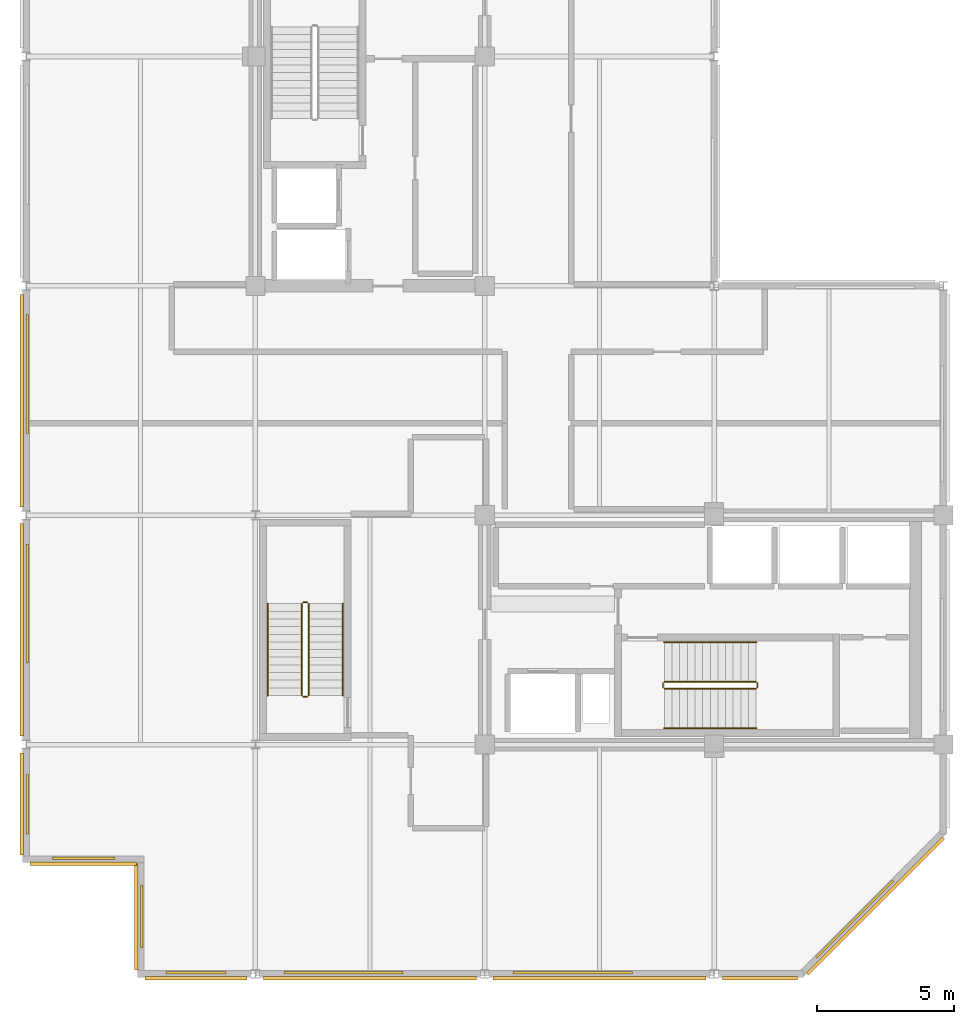
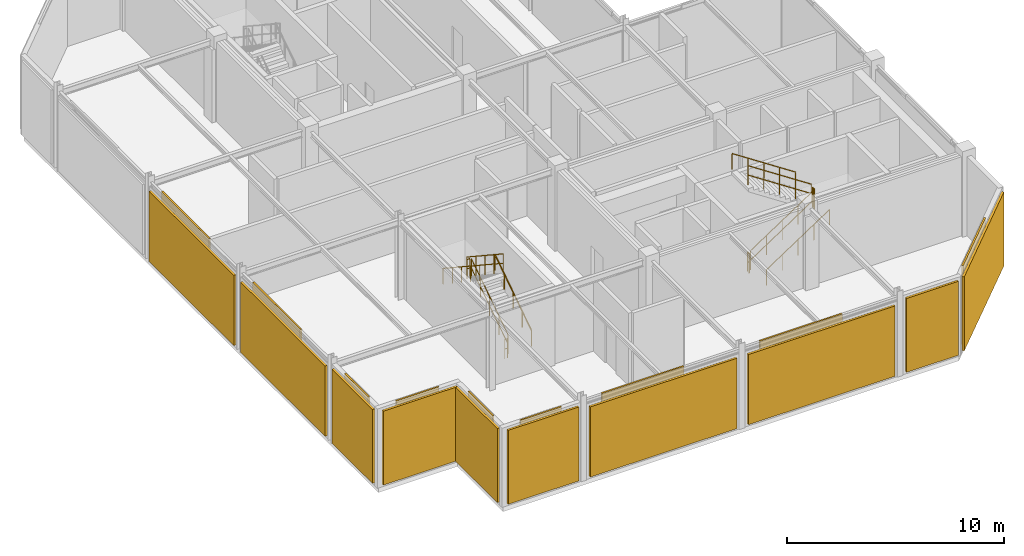
# One storey, part 7 of 9: 12 railings, 10 shading devices, 9 coverings.
"""IFC4 building model written with IfcOpenShell, lengths in metres."""

from ifc_helpers import new_model, si_unit, direction, frame, origin, origin_2d, place, context, subcontext, project, spatial, rectangle, circle, extrude, material, layer, layer_set, type_object, element, save


model = new_model("IFC4")

# Units and contexts
model_context = context("Model", 3, precision=1e-05, world=origin(), true_north=direction((0.0, 1.0)))
body_context = subcontext(model_context, "Body", "Model", "MODEL_VIEW")
ifc_project = project(units=[si_unit("LENGTHUNIT", "METRE"), si_unit("AREAUNIT", "SQUARE_METRE"), si_unit("VOLUMEUNIT", "CUBIC_METRE"), si_unit("PLANEANGLEUNIT", "RADIAN"), si_unit("MASSUNIT", "GRAM", prefix="KILO")], contexts=[model_context])

# Site, building, storey
site_placement = place(None, origin())
site = spatial("IfcSite", under=ifc_project, at=site_placement, CompositionType="ELEMENT")
building_placement = place(site_placement, origin())
building = spatial("IfcBuilding", under=site, at=building_placement, Name="Nerrivon Quay Data Exchange", CompositionType="ELEMENT")
storey_placement = place(building_placement, frame((0.0, 0.0, 322.199951171875)))
storey = spatial("IfcBuildingStorey", under=building, at=storey_placement, Name="L77", CompositionType="ELEMENT", Elevation=322.199951171875)

# Coverings
ifc_material_1 = material(Name="Architectural terracotta ceramic", Category="masonry")
ifc_layer_1 = layer(ifc_material_1, 0.090087890625)
ifc_layer_set_1 = layer_set([ifc_layer_1], Name="Architectural terracotta ceramic")
covering_type = type_object("IfcCoveringType", Name="COV-SCR-TERR", PredefinedType="CLADDING", material=ifc_layer_set_1)
covering_1_placement = place(storey_placement, frame((30.34423828125, 2.0078125, 0.0), z_axis=(0.0, 0.0, 1.0), x_axis=(-0.707106781187, -0.707106781187, 0.0)))
element("IfcCovering", 1, at=covering_1_placement, inside=storey, type_object=covering_type, Name="L77 Perforated Terracotta SOLAR SCREEN Cassette", PredefinedType="CLADDING", context=body_context, shape_type="SweptSolid", body=[
    extrude(rectangle(XDim=3.970947265625, YDim=0.090087890625, at=origin_2d()), origin(), (0.0, 0.0, 1.0), 4.449951171875),
])
for number, where, z_axis, x_axis, name in (
    (2, (20.02880859375, 0.044921875, 0.0), (0.0, 0.0, 1.0), (-1.0, 0.0, 0.0), "L77 Perforated Terracotta SOLAR SCREEN Cassette"),
    (3, (11.62890625, 0.044921875, 0.0), (0.0, 0.0, 1.0), (-1.0, 0.0, 0.0), "L77 Perforated Terracotta SOLAR SCREEN Cassette"),
):
    element("IfcCovering", number, at=place(storey_placement, frame(where, z_axis=z_axis, x_axis=x_axis)), inside=storey, type_object=covering_type, Name=name, PredefinedType="CLADDING", context=body_context, shape_type="SweptSolid", body=[
        extrude(rectangle(XDim=4.3701171875, YDim=0.090087890625, at=origin_2d()), origin(), (0.0, 0.0, 1.0), 4.449951171875),
    ])
covering_2_placement = place(storey_placement, frame((6.223388671875, 0.044921875, 0.0), z_axis=(0.0, 0.0, 1.0), x_axis=(-1.0, 0.0, 0.0)))
element("IfcCovering", 4, at=covering_2_placement, inside=storey, type_object=covering_type, Name="L77 Perforated Terracotta SOLAR SCREEN Cassette", PredefinedType="CLADDING", context=body_context, shape_type="SweptSolid", body=[
    extrude(rectangle(XDim=2.18505859375, YDim=0.090087890625, at=origin_2d()), origin(), (0.0, 0.0, 1.0), 4.449951171875),
])
for number, where, z_axis, x_axis, name in (
    (5, (4.2451171875, 2.10009765625, 0.0), (0.0, 0.0, 1.0), (0.0, 1.0, 0.0), "L77 Perforated Terracotta SOLAR SCREEN Cassette"),
    (6, (2.10009765625, 4.2451171875, 0.0), (0.0, 0.0, 1.0), (-1.0, 0.0, 0.0), "L77 Perforated Terracotta SOLAR SCREEN Cassette"),
):
    element("IfcCovering", number, at=place(storey_placement, frame(where, z_axis=z_axis, x_axis=x_axis)), inside=storey, type_object=covering_type, Name=name, PredefinedType="CLADDING", context=body_context, shape_type="SweptSolid", body=[
        extrude(rectangle(XDim=2.26806640625, YDim=0.090087890625, at=origin_2d()), origin(), (0.0, 0.0, 1.0), 4.449951171875),
    ])
covering_3_placement = place(storey_placement, frame((0.044921875, 6.22119140625, 0.0), z_axis=(0.0, 0.0, 1.0), x_axis=(0.0, 1.0, 0.0)))
element("IfcCovering", 7, at=covering_3_placement, inside=storey, type_object=covering_type, Name="L77 Perforated Terracotta SOLAR SCREEN Cassette", PredefinedType="CLADDING", context=body_context, shape_type="SweptSolid", body=[
    extrude(rectangle(XDim=2.18310546875, YDim=0.090087890625, at=origin_2d()), origin(), (0.0, 0.0, 1.0), 4.449951171875),
])
for number, where, z_axis, x_axis, name in (
    (8, (0.044921875, 13.5703125, 0.0), (0.0, 0.0, 1.0), (0.0, 1.0, 0.0), "L77 Perforated Terracotta SOLAR SCREEN Cassette"),
    (9, (0.044921875, 21.97021484375, 0.0), (0.0, 0.0, 1.0), (0.0, 1.0, 0.0), "L77 Perforated Terracotta SOLAR SCREEN Cassette"),
):
    element("IfcCovering", number, at=place(storey_placement, frame(where, z_axis=z_axis, x_axis=x_axis)), inside=storey, type_object=covering_type, Name=name, PredefinedType="CLADDING", context=body_context, shape_type="SweptSolid", body=[
        extrude(rectangle(XDim=4.365966796875, YDim=0.090087890625, at=origin_2d()), origin(), (0.0, 0.0, 1.0), 4.449951171875),
    ])

# Railings
ifc_material_2 = material(Name="Steel Grade C350L0 (350 MPa)", Category="steel")
railing_type_1 = type_object("IfcRailingType", Name="RAIL-HAND-HR1", PredefinedType="HANDRAIL", material=ifc_material_2)
railing_1_placement = place(storey_placement, frame((23.3798828125, 9.0, 0.1845703125)))
element("IfcRailing", 10, at=railing_1_placement, inside=storey, type_object=railing_type_1, Name="L77 ST02 stair handrail 1", PredefinedType="HANDRAIL", context=body_context, shape_type="SweptSolid", body=[
    extrude(circle(Radius=0.02392578125, at=origin_2d()), frame((0.0, 0.0, 0.8759765625), z_axis=(0.834848600103, 0.0, 0.550479622607), x_axis=(0.0, 1.0, 0.0)), (0.0, 0.0, 1.0), 4.02490234375),
    extrude(circle(Radius=0.02099609375, at=origin_2d()), origin(), (0.0, 0.0, 1.0), 0.851806640625),
    extrude(circle(Radius=0.02099609375, at=origin_2d()), frame((0.840087890625, 0.0, 0.553955078125)), (0.0, 0.0, 1.0), 0.851806640625),
    extrude(circle(Radius=0.02099609375, at=origin_2d()), frame((1.68017578125, 0.0, 1.10791015625)), (0.0, 0.0, 1.0), 0.851806640625),
    extrude(circle(Radius=0.02099609375, at=origin_2d()), frame((2.52001953125, 0.0, 1.66162109375)), (0.0, 0.0, 1.0), 0.851806640625),
    extrude(circle(Radius=0.02099609375, at=origin_2d()), frame((3.360107421875, 0.0, 2.215576171875)), (0.0, 0.0, 1.0), 0.851806640625),
])
railing_2_placement = place(storey_placement, frame((26.739990234375, 12.14990234375, 2.584716796875)))
element("IfcRailing", 11, at=railing_2_placement, inside=storey, type_object=railing_type_1, Name="L77 ST02 stair handrail 2", PredefinedType="HANDRAIL", context=body_context, shape_type="SweptSolid", body=[
    extrude(circle(Radius=0.02392578125, at=origin_2d()), frame((0.0, 0.0, 0.8759765625), z_axis=(-0.834876476806, 0.0, 0.550437342915), x_axis=(0.0, -1.0, 0.0)), (0.0, 0.0, 1.0), 4.024658203125),
    extrude(circle(Radius=0.02099609375, at=origin_2d()), origin(), (0.0, 0.0, 1.0), 0.851806640625),
    extrude(circle(Radius=0.02099609375, at=origin_2d()), frame((-0.840087890625, 0.0, 0.5537109375)), (0.0, 0.0, 1.0), 0.851806640625),
    extrude(circle(Radius=0.02099609375, at=origin_2d()), frame((-1.68017578125, 0.0, 1.107666015625)), (0.0, 0.0, 1.0), 0.851806640625),
    extrude(circle(Radius=0.02099609375, at=origin_2d()), frame((-2.52001953125, 0.0, 1.66162109375)), (0.0, 0.0, 1.0), 0.851806640625),
    extrude(circle(Radius=0.02099609375, at=origin_2d()), frame((-3.360107421875, 0.0, 2.21533203125)), (0.0, 0.0, 1.0), 0.851806640625),
])
railing_3_placement = place(storey_placement, frame((11.60009765625, 10.199951171875, 0.1845703125)))
element("IfcRailing", 12, at=railing_3_placement, inside=storey, type_object=railing_type_1, Name="L77 ST08 stair handrail 1", PredefinedType="HANDRAIL", context=body_context, shape_type="SweptSolid", body=[
    extrude(circle(Radius=0.02392578125, at=origin_2d()), frame((0.0, 0.0, 0.8759765625), z_axis=(0.0, 0.834848600103, 0.550479622607), x_axis=(-1.0, 0.0, 0.0)), (0.0, 0.0, 1.0), 4.02490234375),
    extrude(circle(Radius=0.02099609375, at=origin_2d()), origin(), (0.0, 0.0, 1.0), 0.851806640625),
    extrude(circle(Radius=0.02099609375, at=origin_2d()), frame((0.0, 0.840087890625, 0.553955078125)), (0.0, 0.0, 1.0), 0.851806640625),
    extrude(circle(Radius=0.02099609375, at=origin_2d()), frame((0.0, 1.68017578125, 1.10791015625)), (0.0, 0.0, 1.0), 0.851806640625),
    extrude(circle(Radius=0.02099609375, at=origin_2d()), frame((0.0, 2.52001953125, 1.66162109375)), (0.0, 0.0, 1.0), 0.851806640625),
    extrude(circle(Radius=0.02099609375, at=origin_2d()), frame((0.0, 3.360107421875, 2.215576171875)), (0.0, 0.0, 1.0), 0.851806640625),
])
railing_4_placement = place(storey_placement, frame((8.85009765625, 13.56005859375, 2.584716796875)))
element("IfcRailing", 13, at=railing_4_placement, inside=storey, type_object=railing_type_1, Name="L77 ST08 stair handrail 2", PredefinedType="HANDRAIL", context=body_context, shape_type="SweptSolid", body=[
    extrude(circle(Radius=0.02392578125, at=origin_2d()), frame((0.0, 0.0, 0.8759765625), z_axis=(0.0, -0.834876476806, 0.550437342915), x_axis=(1.0, 0.0, 0.0)), (0.0, 0.0, 1.0), 4.024658203125),
    extrude(circle(Radius=0.02099609375, at=origin_2d()), origin(), (0.0, 0.0, 1.0), 0.851806640625),
    extrude(circle(Radius=0.02099609375, at=origin_2d()), frame((0.0, -0.840087890625, 0.5537109375)), (0.0, 0.0, 1.0), 0.851806640625),
    extrude(circle(Radius=0.02099609375, at=origin_2d()), frame((0.0, -1.68017578125, 1.107666015625)), (0.0, 0.0, 1.0), 0.851806640625),
    extrude(circle(Radius=0.02099609375, at=origin_2d()), frame((0.0, -2.52001953125, 1.66162109375)), (0.0, 0.0, 1.0), 0.851806640625),
    extrude(circle(Radius=0.02099609375, at=origin_2d()), frame((0.0, -3.360107421875, 2.21533203125)), (0.0, 0.0, 1.0), 0.851806640625),
])
railing_type_2 = type_object("IfcRailingType", Name="RAIL-STAIR-GR1", PredefinedType="BALUSTRADE", material=ifc_material_2)
railing_5_placement = place(storey_placement, frame((23.3798828125, 10.449951171875, 0.1845703125)))
element("IfcRailing", 14, at=railing_5_placement, inside=storey, type_object=railing_type_2, Name="L77 ST02 stair guard 1", PredefinedType="BALUSTRADE", context=body_context, shape_type="SweptSolid", body=[
    extrude(circle(Radius=0.02392578125, at=origin_2d()), frame((0.0, 0.0, 1.076171875), z_axis=(0.834848600103, 0.0, 0.550479622607), x_axis=(0.0, 1.0, 0.0)), (0.0, 0.0, 1.0), 4.02490234375),
    extrude(circle(Radius=0.02392578125, at=origin_2d()), frame((0.0, 0.0, 0.550048828125), z_axis=(0.834848600103, 0.0, 0.550479622607), x_axis=(0.0, 1.0, 0.0)), (0.0, 0.0, 1.0), 4.02490234375),
    extrude(circle(Radius=0.02099609375, at=origin_2d()), origin(), (0.0, 0.0, 1.0), 1.052001953125),
    extrude(circle(Radius=0.02099609375, at=origin_2d()), frame((0.840087890625, 0.0, 0.553955078125)), (0.0, 0.0, 1.0), 1.052001953125),
    extrude(circle(Radius=0.02099609375, at=origin_2d()), frame((1.68017578125, 0.0, 1.10791015625)), (0.0, 0.0, 1.0), 1.052001953125),
    extrude(circle(Radius=0.02099609375, at=origin_2d()), frame((2.52001953125, 0.0, 1.66162109375)), (0.0, 0.0, 1.0), 1.052001953125),
    extrude(circle(Radius=0.02099609375, at=origin_2d()), frame((3.360107421875, 0.0, 2.215576171875)), (0.0, 0.0, 1.0), 1.052001953125),
])
railing_6_placement = place(storey_placement, frame((26.7900390625, 10.5, 2.400146484375)))
element("IfcRailing", 15, at=railing_6_placement, inside=storey, type_object=railing_type_2, Name="L77 ST02 stair guard 2", PredefinedType="BALUSTRADE", context=body_context, shape_type="SweptSolid", body=[
    extrude(circle(Radius=0.02392578125, at=origin_2d()), frame((0.0, 0.0, 1.076171875), z_axis=(0.0, 1.0, 0.0), x_axis=(-1.0, 0.0, 0.0)), (0.0, 0.0, 1.0), 0.14990234375),
    extrude(circle(Radius=0.02392578125, at=origin_2d()), frame((0.0, 0.0, 0.550048828125), z_axis=(0.0, 1.0, 0.0), x_axis=(-1.0, 0.0, 0.0)), (0.0, 0.0, 1.0), 0.14990234375),
    extrude(circle(Radius=0.02099609375, at=origin_2d()), origin(), (0.0, 0.0, 1.0), 1.052001953125),
    extrude(circle(Radius=0.02099609375, at=origin_2d()), frame((0.0, 0.14990234375, 0.0)), (0.0, 0.0, 1.0), 1.052001953125),
])
railing_7_placement = place(storey_placement, frame((26.739990234375, 10.699951171875, 2.584716796875)))
element("IfcRailing", 16, at=railing_7_placement, inside=storey, type_object=railing_type_2, Name="L77 ST02 stair guard 3", PredefinedType="BALUSTRADE", context=body_context, shape_type="SweptSolid", body=[
    extrude(circle(Radius=0.02392578125, at=origin_2d()), frame((0.0, 0.0, 1.076171875), z_axis=(-0.834876476806, 0.0, 0.550437342915), x_axis=(0.0, -1.0, 0.0)), (0.0, 0.0, 1.0), 4.024658203125),
    extrude(circle(Radius=0.02392578125, at=origin_2d()), frame((0.0, 0.0, 0.550048828125), z_axis=(-0.834876476806, 0.0, 0.550437342915), x_axis=(0.0, -1.0, 0.0)), (0.0, 0.0, 1.0), 4.024658203125),
    extrude(circle(Radius=0.02099609375, at=origin_2d()), origin(), (0.0, 0.0, 1.0), 1.052001953125),
    extrude(circle(Radius=0.02099609375, at=origin_2d()), frame((-0.840087890625, 0.0, 0.5537109375)), (0.0, 0.0, 1.0), 1.052001953125),
    extrude(circle(Radius=0.02099609375, at=origin_2d()), frame((-1.68017578125, 0.0, 1.107666015625)), (0.0, 0.0, 1.0), 1.052001953125),
    extrude(circle(Radius=0.02099609375, at=origin_2d()), frame((-2.52001953125, 0.0, 1.66162109375)), (0.0, 0.0, 1.0), 1.052001953125),
    extrude(circle(Radius=0.02099609375, at=origin_2d()), frame((-3.360107421875, 0.0, 2.21533203125)), (0.0, 0.0, 1.0), 1.052001953125),
])
railing_8_placement = place(storey_placement, frame((23.330078125, 10.5, 0.0)))
element("IfcRailing", 17, at=railing_8_placement, inside=storey, type_object=railing_type_2, Name="L77 ST02 stair guard 4", PredefinedType="BALUSTRADE", context=body_context, shape_type="SweptSolid", body=[
    extrude(circle(Radius=0.02392578125, at=origin_2d()), frame((0.0, 0.0, 1.076171875), z_axis=(0.0, 1.0, 0.0), x_axis=(-1.0, 0.0, 0.0)), (0.0, 0.0, 1.0), 0.14990234375),
    extrude(circle(Radius=0.02392578125, at=origin_2d()), frame((0.0, 0.0, 0.550048828125), z_axis=(0.0, 1.0, 0.0), x_axis=(-1.0, 0.0, 0.0)), (0.0, 0.0, 1.0), 0.14990234375),
    extrude(circle(Radius=0.02099609375, at=origin_2d()), origin(), (0.0, 0.0, 1.0), 1.052001953125),
    extrude(circle(Radius=0.02099609375, at=origin_2d()), frame((0.0, 0.14990234375, 0.0)), (0.0, 0.0, 1.0), 1.052001953125),
])
railing_9_placement = place(storey_placement, frame((10.35009765625, 10.199951171875, 0.1845703125)))
element("IfcRailing", 18, at=railing_9_placement, inside=storey, type_object=railing_type_2, Name="L77 ST08 stair guard 1", PredefinedType="BALUSTRADE", context=body_context, shape_type="SweptSolid", body=[
    extrude(circle(Radius=0.02392578125, at=origin_2d()), frame((0.0, 0.0, 1.076171875), z_axis=(0.0, 0.834848600103, 0.550479622607), x_axis=(-1.0, 0.0, 0.0)), (0.0, 0.0, 1.0), 4.02490234375),
    extrude(circle(Radius=0.02392578125, at=origin_2d()), frame((0.0, 0.0, 0.550048828125), z_axis=(0.0, 0.834848600103, 0.550479622607), x_axis=(-1.0, 0.0, 0.0)), (0.0, 0.0, 1.0), 4.02490234375),
    extrude(circle(Radius=0.02099609375, at=origin_2d()), origin(), (0.0, 0.0, 1.0), 1.052001953125),
    extrude(circle(Radius=0.02099609375, at=origin_2d()), frame((0.0, 0.840087890625, 0.553955078125)), (0.0, 0.0, 1.0), 1.052001953125),
    extrude(circle(Radius=0.02099609375, at=origin_2d()), frame((0.0, 1.68017578125, 1.10791015625)), (0.0, 0.0, 1.0), 1.052001953125),
    extrude(circle(Radius=0.02099609375, at=origin_2d()), frame((0.0, 2.52001953125, 1.66162109375)), (0.0, 0.0, 1.0), 1.052001953125),
    extrude(circle(Radius=0.02099609375, at=origin_2d()), frame((0.0, 3.360107421875, 2.215576171875)), (0.0, 0.0, 1.0), 1.052001953125),
])
railing_10_placement = place(storey_placement, frame((10.300048828125, 13.610107421875, 2.400146484375)))
element("IfcRailing", 19, at=railing_10_placement, inside=storey, type_object=railing_type_2, Name="L77 ST08 stair guard 2", PredefinedType="BALUSTRADE", context=body_context, shape_type="SweptSolid", body=[
    extrude(circle(Radius=0.02392578125, at=origin_2d()), frame((0.0, 0.0, 1.076171875), z_axis=(-1.0, 0.0, 0.0), x_axis=(0.0, -1.0, 0.0)), (0.0, 0.0, 1.0), 0.150146484375),
    extrude(circle(Radius=0.02392578125, at=origin_2d()), frame((0.0, 0.0, 0.550048828125), z_axis=(-1.0, 0.0, 0.0), x_axis=(0.0, -1.0, 0.0)), (0.0, 0.0, 1.0), 0.150146484375),
    extrude(circle(Radius=0.02099609375, at=origin_2d()), origin(), (0.0, 0.0, 1.0), 1.052001953125),
    extrude(circle(Radius=0.02099609375, at=origin_2d()), frame((-0.150146484375, 0.0, 0.0)), (0.0, 0.0, 1.0), 1.052001953125),
])
railing_11_placement = place(storey_placement, frame((10.10009765625, 13.56005859375, 2.584716796875)))
element("IfcRailing", 20, at=railing_11_placement, inside=storey, type_object=railing_type_2, Name="L77 ST08 stair guard 3", PredefinedType="BALUSTRADE", context=body_context, shape_type="SweptSolid", body=[
    extrude(circle(Radius=0.02392578125, at=origin_2d()), frame((0.0, 0.0, 1.076171875), z_axis=(0.0, -0.834876476806, 0.550437342915), x_axis=(1.0, 0.0, 0.0)), (0.0, 0.0, 1.0), 4.024658203125),
    extrude(circle(Radius=0.02392578125, at=origin_2d()), frame((0.0, 0.0, 0.550048828125), z_axis=(0.0, -0.834876476806, 0.550437342915), x_axis=(1.0, 0.0, 0.0)), (0.0, 0.0, 1.0), 4.024658203125),
    extrude(circle(Radius=0.02099609375, at=origin_2d()), origin(), (0.0, 0.0, 1.0), 1.052001953125),
    extrude(circle(Radius=0.02099609375, at=origin_2d()), frame((0.0, -0.840087890625, 0.5537109375)), (0.0, 0.0, 1.0), 1.052001953125),
    extrude(circle(Radius=0.02099609375, at=origin_2d()), frame((0.0, -1.68017578125, 1.107666015625)), (0.0, 0.0, 1.0), 1.052001953125),
    extrude(circle(Radius=0.02099609375, at=origin_2d()), frame((0.0, -2.52001953125, 1.66162109375)), (0.0, 0.0, 1.0), 1.052001953125),
    extrude(circle(Radius=0.02099609375, at=origin_2d()), frame((0.0, -3.360107421875, 2.21533203125)), (0.0, 0.0, 1.0), 1.052001953125),
])
railing_12_placement = place(storey_placement, frame((10.300048828125, 10.14990234375, 0.0)))
element("IfcRailing", 21, at=railing_12_placement, inside=storey, type_object=railing_type_2, Name="L77 ST08 stair guard 4", PredefinedType="BALUSTRADE", context=body_context, shape_type="SweptSolid", body=[
    extrude(circle(Radius=0.02392578125, at=origin_2d()), frame((0.0, 0.0, 1.076171875), z_axis=(-1.0, 0.0, 0.0), x_axis=(0.0, -1.0, 0.0)), (0.0, 0.0, 1.0), 0.150146484375),
    extrude(circle(Radius=0.02392578125, at=origin_2d()), frame((0.0, 0.0, 0.550048828125), z_axis=(-1.0, 0.0, 0.0), x_axis=(0.0, -1.0, 0.0)), (0.0, 0.0, 1.0), 0.150146484375),
    extrude(circle(Radius=0.02099609375, at=origin_2d()), origin(), (0.0, 0.0, 1.0), 1.052001953125),
    extrude(circle(Radius=0.02099609375, at=origin_2d()), frame((-0.150146484375, 0.0, 0.0)), (0.0, 0.0, 1.0), 1.052001953125),
])

# Shading devices
ifc_material_3 = material(Name="Anodised aluminium 6063-T6", Category="aluminium")
ifc_layer_2 = layer(ifc_material_3, 0.1201171875)
ifc_layer_set_2 = layer_set([ifc_layer_2], Name="Anodised aluminium 6063-T6")
shading_device_type = type_object("IfcShadingDeviceType", Name="SHD-LOUV-LV01", PredefinedType="JALOUSIE", material=ifc_layer_set_2)
shading_device_1_placement = place(storey_placement, frame((31.113037109375, 2.48681640625, 0.150146484375), z_axis=(0.0, 0.0, 1.0), x_axis=(-0.707106781187, -0.707106781187, 0.0)))
element("IfcShadingDevice", 22, at=shading_device_1_placement, inside=storey, type_object=shading_device_type, Name="L77 Acoustic Plant Louvre LV01-1", PredefinedType="JALOUSIE", context=body_context, shape_type="SweptSolid", body=[
    extrude(rectangle(XDim=7.053955078125, YDim=0.1201171875, at=origin_2d()), origin(), (0.0, 0.0, 1.0), 4.14990234375),
])
shading_device_2_placement = place(storey_placement, frame((26.876708984375, -0.159912109375, 0.150146484375), z_axis=(0.0, 0.0, 1.0), x_axis=(-1.0, 0.0, 0.0)))
element("IfcShadingDevice", 23, at=shading_device_2_placement, inside=storey, type_object=shading_device_type, Name="L77 Acoustic Plant Louvre LV01-2", PredefinedType="JALOUSIE", context=body_context, shape_type="SweptSolid", body=[
    extrude(rectangle(XDim=2.74658203125, YDim=0.1201171875, at=origin_2d()), origin(), (0.0, 0.0, 1.0), 4.14990234375),
])
for number, where, z_axis, x_axis, name in (
    (24, (21.0, -0.159912109375, 0.14990234375), (0.0, 0.0, 1.0), (-1.0, 0.0, 0.0), "L77 Acoustic Plant Louvre LV01-3"),
    (25, (12.60009765625, -0.159912109375, 0.14990234375), (0.0, 0.0, 1.0), (-1.0, 0.0, 0.0), "L77 Acoustic Plant Louvre LV01-4"),
):
    element("IfcShadingDevice", number, at=place(storey_placement, frame(where, z_axis=z_axis, x_axis=x_axis)), inside=storey, type_object=shading_device_type, Name=name, PredefinedType="JALOUSIE", context=body_context, shape_type="SweptSolid", body=[
        extrude(rectangle(XDim=7.79296875, YDim=0.1201171875, at=origin_2d()), origin(), (0.0, 0.0, 1.0), 3.943115234375),
    ])
shading_device_3_placement = place(storey_placement, frame((6.223388671875, -0.159912109375, 0.150146484375), z_axis=(0.0, 0.0, 1.0), x_axis=(-1.0, 0.0, 0.0)))
element("IfcShadingDevice", 26, at=shading_device_3_placement, inside=storey, type_object=shading_device_type, Name="L77 Acoustic Plant Louvre LV01-5", PredefinedType="JALOUSIE", context=body_context, shape_type="SweptSolid", body=[
    extrude(rectangle(XDim=3.74658203125, YDim=0.1201171875, at=origin_2d()), origin(), (0.0, 0.0, 1.0), 4.14990234375),
])
for number, where, z_axis, x_axis, name in (
    (27, (4.0400390625, 2.10009765625, 0.150146484375), (0.0, 0.0, 1.0), (0.0, 1.0, 0.0), "L77 Acoustic Plant Louvre LV01-6"),
    (28, (2.10009765625, 4.0400390625, 0.150146484375), (0.0, 0.0, 1.0), (-1.0, 0.0, 0.0), "L77 Acoustic Plant Louvre LV01-7"),
):
    element("IfcShadingDevice", number, at=place(storey_placement, frame(where, z_axis=z_axis, x_axis=x_axis)), inside=storey, type_object=shading_device_type, Name=name, PredefinedType="JALOUSIE", context=body_context, shape_type="SweptSolid", body=[
        extrude(rectangle(XDim=3.89990234375, YDim=0.1201171875, at=origin_2d()), origin(), (0.0, 0.0, 1.0), 4.14990234375),
    ])
shading_device_4_placement = place(storey_placement, frame((-0.159912109375, 6.22119140625, 0.150146484375), z_axis=(0.0, 0.0, 1.0), x_axis=(0.0, 1.0, 0.0)))
element("IfcShadingDevice", 29, at=shading_device_4_placement, inside=storey, type_object=shading_device_type, Name="L77 Acoustic Plant Louvre LV01-8", PredefinedType="JALOUSIE", context=body_context, shape_type="SweptSolid", body=[
    extrude(rectangle(XDim=3.742431640625, YDim=0.1201171875, at=origin_2d()), origin(), (0.0, 0.0, 1.0), 4.14990234375),
])
for number, where, z_axis, x_axis, name in (
    (30, (-0.159912109375, 12.60009765625, 0.14990234375), (0.0, 0.0, 1.0), (0.0, 1.0, 0.0), "L77 Acoustic Plant Louvre LV01-9"),
    (31, (-0.159912109375, 21.0, 0.14990234375), (0.0, 0.0, 1.0), (0.0, 1.0, 0.0), "L77 Acoustic Plant Louvre LV01-10"),
):
    element("IfcShadingDevice", number, at=place(storey_placement, frame(where, z_axis=z_axis, x_axis=x_axis)), inside=storey, type_object=shading_device_type, Name=name, PredefinedType="JALOUSIE", context=body_context, shape_type="SweptSolid", body=[
        extrude(rectangle(XDim=7.784912109375, YDim=0.1201171875, at=origin_2d()), origin(), (0.0, 0.0, 1.0), 3.943115234375),
    ])

save(model, "model.ifc")
